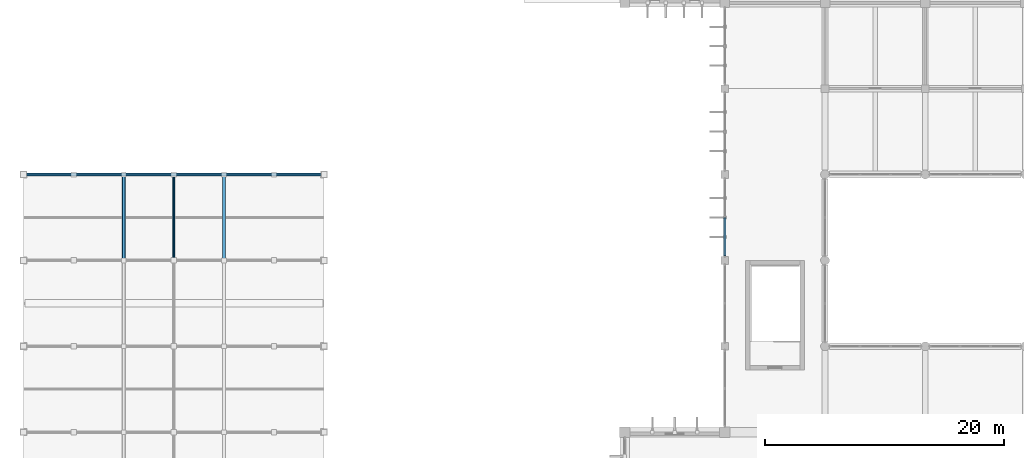
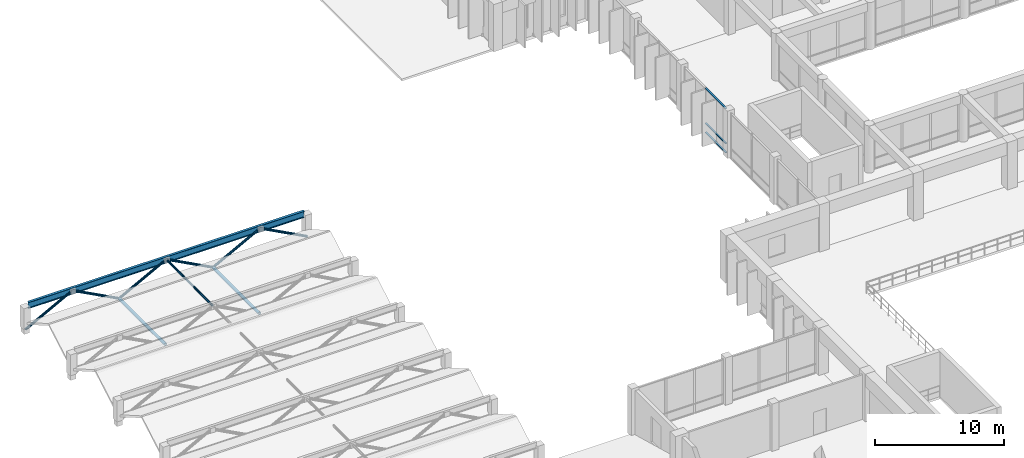
# One storey, part 14 of 40: 12 members, 1 beam, 1 element without a shape of its own.
"""IFC4 building model written with IfcOpenShell, lengths in metres."""

from ifc_helpers import new_model, si_unit, direction, frame, origin, origin_2d, place, context, subcontext, project, spatial, rectangle, hollow_circle, i_section, extrude, material, material_profile, profile_set, type_object, element, aggregate, save


model = new_model("IFC4")

# Units and contexts
model_context = context("Model", 3, precision=1e-05, world=origin(), true_north=direction((0.0, 1.0)))
body_context = subcontext(model_context, "Body", "Model", "MODEL_VIEW")
ifc_project = project(units=[si_unit("LENGTHUNIT", "METRE"), si_unit("AREAUNIT", "SQUARE_METRE"), si_unit("VOLUMEUNIT", "CUBIC_METRE"), si_unit("PLANEANGLEUNIT", "RADIAN"), si_unit("MASSUNIT", "GRAM", prefix="KILO")], contexts=[model_context])

# Site, building, storey
site_placement = place(None, origin())
site = spatial("IfcSite", under=ifc_project, at=site_placement, CompositionType="ELEMENT")
building_placement = place(site_placement, origin())
building = spatial("IfcBuilding", under=site, at=building_placement, Name="Kenerak Square Central Library", CompositionType="ELEMENT")
storey_placement = place(building_placement, frame((0.0, 0.0, 14.39990234375)))
storey = spatial("IfcBuildingStorey", under=building, at=storey_placement, Name="L03", CompositionType="ELEMENT", Elevation=14.39990234375)

# Beam
ifc_material_1 = material(Name="Steel S355", Category="steel")
ifc_material_profile_1 = material_profile(ifc_material_1, i_section(OverallWidth=0.219970703125, OverallDepth=0.60009765625, WebThickness=0.011962890625, FlangeThickness=0.01904296875, FilletRadius=0.02392578125, at=origin_2d()), Name="IPE 600")
ifc_profile_set_1 = profile_set([ifc_material_profile_1], Name="Steel S355")
beam_type = type_object("IfcBeamType", Name="Auditorium Roof Rafter SB-06 IPE 600 S355", PredefinedType="BEAM", material=ifc_profile_set_1)
beam_placement = place(storey_placement, frame((8.25, 74.39990234375, 1.97998046875), z_axis=(1.0, 0.0, 0.0), x_axis=(0.0, 1.0, 0.0)))
element("IfcBeam", 1, at=beam_placement, inside=storey, type_object=beam_type, Name="Auditorium Truss Top Girder 07", PredefinedType="BEAM", context=body_context, shape_type="SweptSolid", body=[
    extrude(i_section(OverallWidth=0.219970703125, OverallDepth=0.60009765625, WebThickness=0.011962890625, FlangeThickness=0.01904296875, FilletRadius=0.02392578125, at=origin_2d()), origin(), (0.0, 0.0, 1.0), 24.699951171875),
])

# Members
ifc_material_profile_2 = material_profile(ifc_material_1, hollow_circle(Radius=0.096923828125, WallThickness=0.008056640625, at=origin_2d()), Name="CHS 193.7x8.0")
ifc_profile_set_2 = profile_set([ifc_material_profile_2], Name="Steel S355")
member_type_1 = type_object("IfcMemberType", Name="Auditorium Sway Tie AT-03 CHS 193.7x8 S355", PredefinedType="BRACE", material=ifc_profile_set_2)
member_1_placement = place(storey_placement, frame((20.60009765625, 67.199951171875, 1.97998046875), z_axis=(0.0, 1.0, 0.0), x_axis=(-1.0, 0.0, 0.0)))
element("IfcMember", 2, at=member_1_placement, inside=storey, type_object=member_type_1, Name="Auditorium Ridge Sway Tie AT-03 06", PredefinedType="BRACE", context=body_context, shape_type="SweptSolid", body=[
    extrude(hollow_circle(Radius=0.096923828125, WallThickness=0.008056640625, at=origin_2d()), origin(), (0.0, 0.0, 1.0), 7.199951171875),
])
ifc_material_profile_3 = material_profile(ifc_material_1, hollow_circle(Radius=0.109619140625, WallThickness=0.008056640625, at=origin_2d()), Name="CHS 219.1x8.0")
ifc_profile_set_3 = profile_set([ifc_material_profile_3], Name="Steel S355")
member_type_2 = type_object("IfcMemberType", Name="Auditorium Truss Diagonal AT-02 CHS 219.1x8 S355", PredefinedType="BRACE", material=ifc_profile_set_3)
for number, where, z_axis, x_axis, name in (
    (3, (8.0, 74.39990234375, -0.25), (0.883224048295, 0.0, 0.468951256009), (0.0, 1.0, 0.0), "Auditorium Truss Web Diagonal 0265"),
    (4, (12.199951171875, 74.39990234375, 1.97998046875), (0.883224048295, 0.0, -0.468951256009), (0.0, 1.0, 0.0), "Auditorium Truss Counter Web 0266"),
    (5, (16.39990234375, 74.39990234375, -0.25), (0.88323533826, 0.0, 0.468929991843), (0.0, 1.0, 0.0), "Auditorium Truss Web Diagonal 0267"),
    (6, (20.60009765625, 74.39990234375, 1.97998046875), (0.883224048295, 0.0, -0.468951256009), (0.0, 1.0, 0.0), "Auditorium Truss Counter Web 0268"),
    (7, (24.800048828125, 74.39990234375, -0.25), (0.883224048295, 0.0, 0.468951256009), (0.0, 1.0, 0.0), "Auditorium Truss Web Diagonal 0269"),
    (8, (29.0, 74.39990234375, 1.97998046875), (0.883224048295, 0.0, -0.468951256009), (0.0, 1.0, 0.0), "Auditorium Truss Counter Web 0270"),
):
    element("IfcMember", number, at=place(storey_placement, frame(where, z_axis=z_axis, x_axis=x_axis)), inside=storey, type_object=member_type_2, Name=name, PredefinedType="BRACE", context=body_context, shape_type="SweptSolid", body=[
        extrude(hollow_circle(Radius=0.109619140625, WallThickness=0.008056640625, at=origin_2d()), origin(), (0.0, 0.0, 1.0), 4.75537109375),
    ])
ifc_material_profile_4 = material_profile(ifc_material_1, hollow_circle(Radius=0.136474609375, WallThickness=0.010009765625, at=origin_2d()), Name="CHS 273.0x10.0")
ifc_profile_set_4 = profile_set([ifc_material_profile_4], Name="Steel S355")
member_type_3 = type_object("IfcMemberType", Name="Auditorium Truss Tie AT-01 CHS 273.0x10 S355", PredefinedType="CHORD", material=ifc_profile_set_4)
for number, where, z_axis, x_axis, name in (
    (9, (16.39990234375, 67.199951171875, -0.25), (0.0, 1.0, 0.0), (-1.0, 0.0, 0.0), "Auditorium Truss Longitudinal Tie AT-01 6-1"),
    (10, (24.800048828125, 67.199951171875, -0.25), (0.0, 1.0, 0.0), (-1.0, 0.0, 0.0), "Auditorium Truss Longitudinal Tie AT-01 6-2"),
):
    element("IfcMember", number, at=place(storey_placement, frame(where, z_axis=z_axis, x_axis=x_axis)), inside=storey, type_object=member_type_3, Name=name, PredefinedType="CHORD", context=body_context, shape_type="SweptSolid", body=[
        extrude(hollow_circle(Radius=0.136474609375, WallThickness=0.010009765625, at=origin_2d()), origin(), (0.0, 0.0, 1.0), 7.199951171875),
    ])

# Curtain wall, members
ifc_material_2 = material(Name="Anodised aluminium and solar-control low-E glazing", Category="aluminium")
curtain_wall_type = type_object("IfcCurtainWallType", Name="Curtain Wall CW-V4-65x42 6550x4230", PredefinedType="USERDEFINED", material=ifc_material_2)
curtain_wall_placement = place(storey_placement, origin())
curtain_wall = element("IfcCurtainWall", 11, at=curtain_wall_placement, inside=storey, type_object=curtain_wall_type, Name="Curtain Wall CW-V4-65x42 L03 0113", ObjectType="CURTAIN WALL", PredefinedType="USERDEFINED")
ifc_material_3 = material(Name="Anodised aluminium 6063-T6", Category="aluminium")
ifc_material_profile_5 = material_profile(ifc_material_3, rectangle(XDim=0.159912109375, YDim=0.06494140625, at=origin_2d()), Name="AL TRANSOM 160x65")
ifc_profile_set_5 = profile_set([ifc_material_profile_5], Name="Anodised aluminium 6063-T6")
member_type_4 = type_object("IfcMemberType", Name="Curtain Transom CT-11 160x65", PredefinedType="USERDEFINED", material=ifc_profile_set_5)
member_2_placement = place(storey_placement, frame((66.800048828125, 67.590087890625, 0.03271484375), z_axis=(0.0, 1.0, 0.0), x_axis=(-1.0, 0.0, 0.0)))
member_2 = element("IfcMember", 12, at=member_2_placement, type_object=member_type_4, Name="CW-V4-65x42 Transom 1.1", ObjectType="TRANSOM", PredefinedType="USERDEFINED", context=body_context, shape_type="SweptSolid", body=[
    extrude(rectangle(XDim=0.159912109375, YDim=0.06494140625, at=origin_2d()), origin(), (0.0, 0.0, 1.0), 3.177490234375),
])
member_3_placement = place(storey_placement, frame((66.800048828125, 67.590087890625, 0.900146484375), z_axis=(0.0, 1.0, 0.0), x_axis=(-1.0, 0.0, 0.0)))
member_3 = element("IfcMember", 13, at=member_3_placement, type_object=member_type_4, Name="CW-V4-65x42 Transom 1.2", ObjectType="TRANSOM", PredefinedType="USERDEFINED", context=body_context, shape_type="SweptSolid", body=[
    extrude(rectangle(XDim=0.159912109375, YDim=0.06494140625, at=origin_2d()), origin(), (0.0, 0.0, 1.0), 3.177490234375),
])
member_4_placement = place(storey_placement, frame((66.800048828125, 67.590087890625, 4.197509765625), z_axis=(0.0, 1.0, 0.0), x_axis=(-1.0, 0.0, 0.0)))
member_4 = element("IfcMember", 14, at=member_4_placement, type_object=member_type_4, Name="CW-V4-65x42 Transom 1.3", ObjectType="TRANSOM", PredefinedType="USERDEFINED", context=body_context, shape_type="SweptSolid", body=[
    extrude(rectangle(XDim=0.159912109375, YDim=0.06494140625, at=origin_2d()), origin(), (0.0, 0.0, 1.0), 3.177490234375),
])
aggregate(curtain_wall, [member_2, member_3, member_4])

save(model, "model.ifc")
